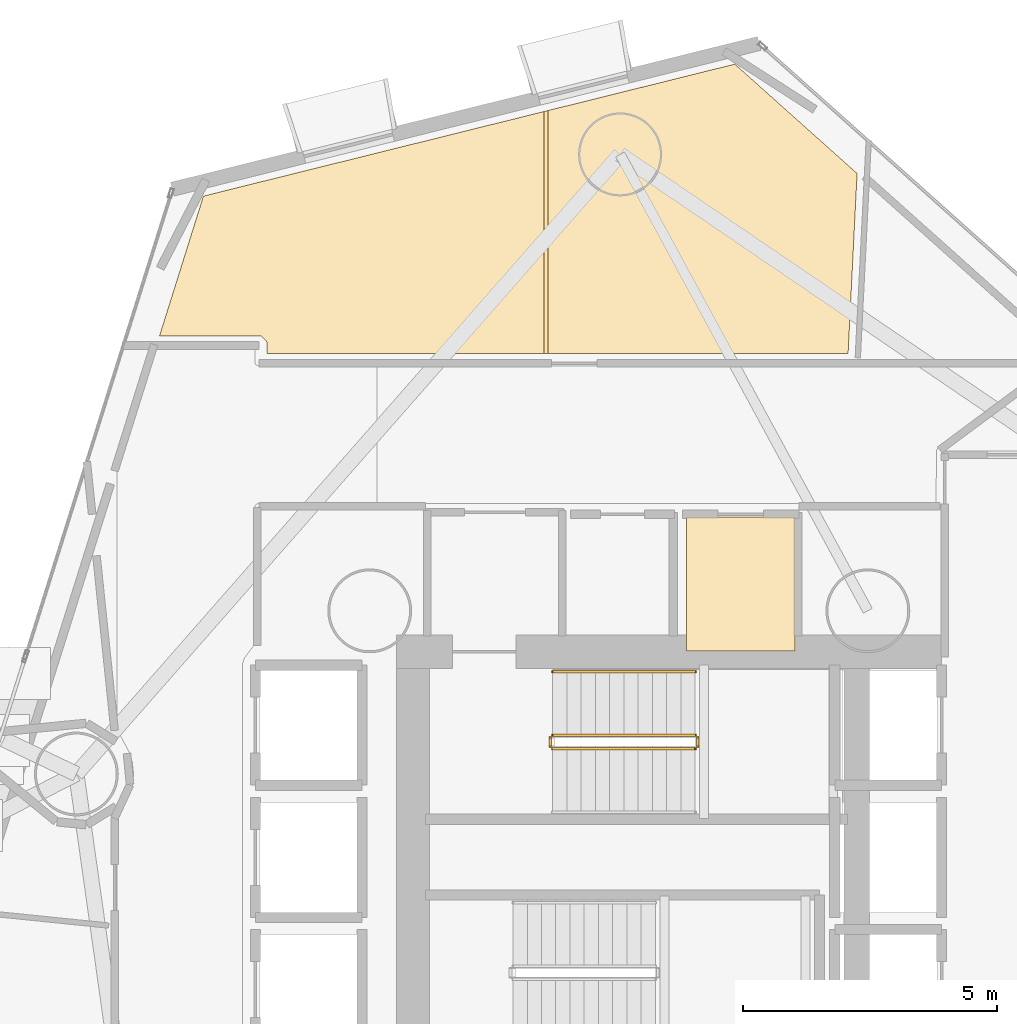
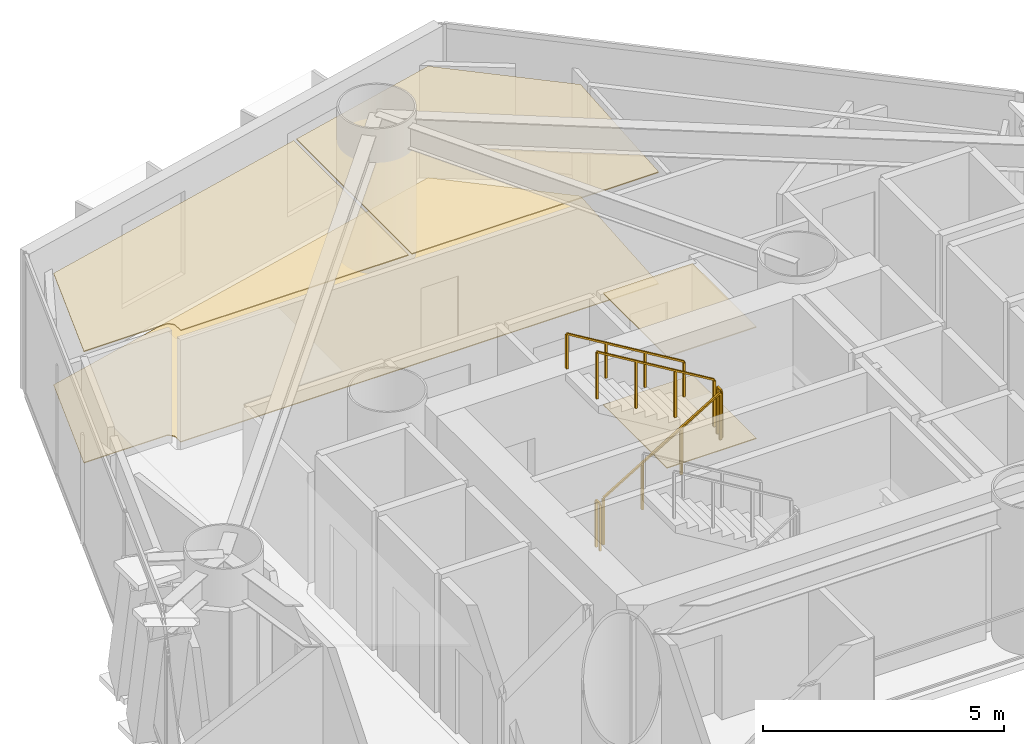
# One storey, part 23 of 24: 5 coverings, 5 railings.
"""IFC4 building model written with IfcOpenShell, lengths in metres."""

from ifc_helpers import new_model, si_unit, direction, frame, origin, origin_2d, place, context, subcontext, project, spatial, polyline, rectangle, outline, extrude, material, layer, layer_set, type_object, element, save


model = new_model("IFC4")

# Units and contexts
model_context = context("Model", 3, precision=1e-05, world=origin(), true_north=direction((0.0, 1.0)))
body_context = subcontext(model_context, "Body", "Model", "MODEL_VIEW")
ifc_project = project(units=[si_unit("LENGTHUNIT", "METRE"), si_unit("AREAUNIT", "SQUARE_METRE"), si_unit("VOLUMEUNIT", "CUBIC_METRE"), si_unit("PLANEANGLEUNIT", "RADIAN"), si_unit("MASSUNIT", "GRAM", prefix="KILO")], contexts=[model_context])

# Site, building, storey
site_placement = place(None, origin())
site = spatial("IfcSite", under=ifc_project, at=site_placement, CompositionType="ELEMENT")
building_placement = place(site_placement, origin())
building = spatial("IfcBuilding", under=site, at=building_placement, Name="Qianvela Tower", CompositionType="ELEMENT")
storey_placement = place(building_placement, frame((0.0, 0.0, 71.0)))
storey = spatial("IfcBuildingStorey", under=building, at=storey_placement, Name="L17", CompositionType="ELEMENT", Elevation=71.0)

# Coverings
ifc_material_1 = material(Name="Perforated Mineral Acoustic Ceiling Tile")
ifc_layer_1 = layer(ifc_material_1, 0.02490234375)
ifc_layer_set_1 = layer_set([ifc_layer_1], Name="Perforated Mineral Acoustic Ceiling Tile")
covering_type_1 = type_object("IfcCoveringType", Name="COV-CEIL-ACOUSTIC-25", PredefinedType="CEILING", material=ifc_layer_set_1)
covering_1_placement = place(storey_placement, frame((0.0, 0.0, 2.81494140625)))
element("IfcCovering", 1, at=covering_1_placement, inside=storey, type_object=covering_type_1, Name="L17 Acoustic Ceiling L17 Core Tea Pantry", PredefinedType="CEILING", context=body_context, shape_type="SweptSolid", body=[
    extrude(outline(polyline([(36.969970703125, 32.760009765625), (34.830078125, 32.760009765625), (34.830078125, 35.39990234375), (36.969970703125, 35.39990234375), (36.969970703125, 32.760009765625)])), origin(), (0.0, 0.0, 1.0), 0.025146484375),
])
covering_2_placement = place(storey_placement, frame((0.0, 0.0, 2.81494140625)))
element("IfcCovering", 2, at=covering_2_placement, inside=storey, type_object=covering_type_1, Name="L17 Acoustic Ceiling Bay 1 Shared Communal Kitchen L17-04", PredefinedType="CEILING", context=body_context, shape_type="SweptSolid", body=[
    extrude(outline(polyline([(26.57958984375, 38.610107421875), (26.57861328125, 38.81591796875), (26.577880859375, 38.82373046875), (26.576904296875, 38.83154296875), (26.574951171875, 38.839111328125), (26.572265625, 38.846435546875), (26.56884765625, 38.853515625), (26.56494140625, 38.860107421875), (26.560302734375, 38.866455078125), (26.554931640625, 38.872314453125), (26.4921875, 38.93505859375), (26.486328125, 38.940185546875), (26.47998046875, 38.945068359375), (26.473388671875, 38.948974609375), (26.46630859375, 38.952392578125), (26.458984375, 38.955078125), (26.451416015625, 38.956787109375), (26.443603515625, 38.9580078125), (26.435791015625, 38.95849609375), (24.465087890625, 38.9599609375), (25.32861328125, 41.708740234375), (32.0302734375, 43.373046875), (32.0302734375, 38.610107421875), (26.57958984375, 38.610107421875)])), origin(), (0.0, 0.0, 1.0), 0.025146484375),
])
covering_3_placement = place(storey_placement, frame((0.0, 0.0, 2.81494140625)))
element("IfcCovering", 3, at=covering_3_placement, inside=storey, type_object=covering_type_1, Name="L17 Acoustic Ceiling Bay 2 Shared Communal Kitchen L17-04", PredefinedType="CEILING", context=body_context, shape_type="SweptSolid", body=[
    extrude(outline(polyline([(32.110107421875, 38.610107421875), (32.110107421875, 43.392822265625), (35.78271484375, 44.304931640625), (38.188720703125, 42.154052734375), (38.010986328125, 38.610107421875), (32.110107421875, 38.610107421875)])), origin(), (0.0, 0.0, 1.0), 0.025146484375),
])
ifc_material_2 = material(Name="Engineered Acoustic Oak Timber Flooring", Category="wood")
ifc_layer_2 = layer(ifc_material_2, 0.02001953125)
ifc_layer_set_2 = layer_set([ifc_layer_2], Name="Engineered Acoustic Oak Timber Flooring")
covering_type_2 = type_object("IfcCoveringType", Name="COV-FLOOR-OAK-20", PredefinedType="FLOORING", material=ifc_layer_set_2)
covering_4_placement = place(storey_placement, origin())
element("IfcCovering", 4, at=covering_4_placement, inside=storey, type_object=covering_type_2, Name="L17 Finish Flooring L17 Core Tea Pantry", PredefinedType="FLOORING", context=body_context, shape_type="SweptSolid", body=[
    extrude(outline(polyline([(36.969970703125, 32.760009765625), (34.830078125, 32.760009765625), (34.830078125, 35.39990234375), (36.969970703125, 35.39990234375), (36.969970703125, 32.760009765625)])), origin(), (0.0, 0.0, 1.0), 0.02001953125),
])
covering_5_placement = place(storey_placement, origin())
element("IfcCovering", 5, at=covering_5_placement, inside=storey, type_object=covering_type_2, Name="L17 Finish Flooring Shared Communal Kitchen L17-04", PredefinedType="FLOORING", context=body_context, shape_type="SweptSolid", body=[
    extrude(outline(polyline([(38.010986328125, 38.610107421875), (26.57958984375, 38.610107421875), (26.57861328125, 38.81591796875), (26.577880859375, 38.82373046875), (26.576904296875, 38.83154296875), (26.574951171875, 38.839111328125), (26.572265625, 38.846435546875), (26.56884765625, 38.853515625), (26.56494140625, 38.860107421875), (26.560302734375, 38.866455078125), (26.554931640625, 38.872314453125), (26.4921875, 38.93505859375), (26.486328125, 38.940185546875), (26.47998046875, 38.945068359375), (26.473388671875, 38.948974609375), (26.46630859375, 38.952392578125), (26.458984375, 38.955078125), (26.451416015625, 38.956787109375), (26.443603515625, 38.9580078125), (26.435791015625, 38.95849609375), (24.465087890625, 38.9599609375), (25.32861328125, 41.708740234375), (35.78271484375, 44.304931640625), (38.188720703125, 42.154052734375), (38.010986328125, 38.610107421875)])), origin(), (0.0, 0.0, 1.0), 0.02001953125),
])

# Railings
ifc_material_3 = material(Name="Painted Tubular Steel Q355B", Category="steel")
railing_type_1 = type_object("IfcRailingType", Name="RL-STAIR-GUARD-1200", PredefinedType="GUARDRAIL", material=ifc_material_3)
railing_1_placement = place(storey_placement, frame((32.199951171875, 30.840087890625, 0.168212890625)))
element("IfcRailing", 6, at=railing_1_placement, inside=storey, type_object=railing_type_1, Name="L17 ST-1 stair guard 1", PredefinedType="GUARDRAIL", context=body_context, shape_type="SweptSolid", body=[
    extrude(rectangle(XDim=0.050048828125, YDim=0.0400390625, at=origin_2d()), frame((0.0, 0.0, 1.179931640625), z_axis=(0.857242210791, 0.0, 0.514913383045), x_axis=(0.0, 1.0, 0.0)), (0.0, 0.0, 1.0), 3.266357421875),
    extrude(rectangle(XDim=0.050048828125, YDim=0.050048828125, at=origin_2d()), origin(), (0.0, 0.0, 1.0), 1.159912109375),
    extrude(rectangle(XDim=0.050048828125, YDim=0.050048828125, at=origin_2d()), frame((0.933349609375, 0.0, 0.560546875)), (0.0, 0.0, 1.0), 1.159912109375),
    extrude(rectangle(XDim=0.050048828125, YDim=0.050048828125, at=origin_2d()), frame((1.86669921875, 0.0, 1.121337890625)), (0.0, 0.0, 1.0), 1.159912109375),
    extrude(rectangle(XDim=0.050048828125, YDim=0.050048828125, at=origin_2d()), frame((2.800048828125, 0.0, 1.681884765625)), (0.0, 0.0, 1.0), 1.159912109375),
])
railing_2_placement = place(storey_placement, frame((35.050048828125, 30.889892578125, 1.85009765625)))
element("IfcRailing", 7, at=railing_2_placement, inside=storey, type_object=railing_type_1, Name="L17 ST-1 stair guard 2", PredefinedType="GUARDRAIL", context=body_context, shape_type="SweptSolid", body=[
    extrude(rectangle(XDim=0.050048828125, YDim=0.0400390625, at=origin_2d()), frame((0.0, 0.0, 1.179931640625), z_axis=(0.0, 1.0, 0.0), x_axis=(-1.0, 0.0, 0.0)), (0.0, 0.0, 1.0), 0.16015625),
    extrude(rectangle(XDim=0.050048828125, YDim=0.050048828125, at=origin_2d()), origin(), (0.0, 0.0, 1.0), 1.159912109375),
    extrude(rectangle(XDim=0.050048828125, YDim=0.050048828125, at=origin_2d()), frame((0.0, 0.16015625, 0.0)), (0.0, 0.0, 1.0), 1.159912109375),
])
railing_3_placement = place(storey_placement, frame((35.0, 31.10009765625, 2.01806640625)))
element("IfcRailing", 8, at=railing_3_placement, inside=storey, type_object=railing_type_1, Name="L17 ST-1 stair guard 3", PredefinedType="GUARDRAIL", context=body_context, shape_type="SweptSolid", body=[
    extrude(rectangle(XDim=0.050048828125, YDim=0.0400390625, at=origin_2d()), frame((0.0, 0.0, 1.179931640625), z_axis=(-0.857242210791, 0.0, 0.514913383045), x_axis=(0.0, -1.0, 0.0)), (0.0, 0.0, 1.0), 3.266357421875),
    extrude(rectangle(XDim=0.050048828125, YDim=0.050048828125, at=origin_2d()), origin(), (0.0, 0.0, 1.0), 1.159912109375),
    extrude(rectangle(XDim=0.050048828125, YDim=0.050048828125, at=origin_2d()), frame((-0.933349609375, 0.0, 0.560546875)), (0.0, 0.0, 1.0), 1.159912109375),
    extrude(rectangle(XDim=0.050048828125, YDim=0.050048828125, at=origin_2d()), frame((-1.86669921875, 0.0, 1.121337890625)), (0.0, 0.0, 1.0), 1.159912109375),
    extrude(rectangle(XDim=0.050048828125, YDim=0.050048828125, at=origin_2d()), frame((-2.800048828125, 0.0, 1.681884765625)), (0.0, 0.0, 1.0), 1.159912109375),
])
railing_4_placement = place(storey_placement, frame((32.14990234375, 30.889892578125, 0.0)))
element("IfcRailing", 9, at=railing_4_placement, inside=storey, type_object=railing_type_1, Name="L17 ST-1 stair guard 4", PredefinedType="GUARDRAIL", context=body_context, shape_type="SweptSolid", body=[
    extrude(rectangle(XDim=0.050048828125, YDim=0.0400390625, at=origin_2d()), frame((0.0, 0.0, 1.179931640625), z_axis=(0.0, 1.0, 0.0), x_axis=(-1.0, 0.0, 0.0)), (0.0, 0.0, 1.0), 0.16015625),
    extrude(rectangle(XDim=0.050048828125, YDim=0.050048828125, at=origin_2d()), origin(), (0.0, 0.0, 1.0), 1.159912109375),
    extrude(rectangle(XDim=0.050048828125, YDim=0.050048828125, at=origin_2d()), frame((0.0, 0.16015625, 0.0)), (0.0, 0.0, 1.0), 1.159912109375),
])
ifc_material_4 = material(Name="Brushed Stainless Steel 304", Category="steel")
railing_type_2 = type_object("IfcRailingType", Name="RL-STAIR-HANDRAIL-900", PredefinedType="HANDRAIL", material=ifc_material_4)
railing_5_placement = place(storey_placement, frame((35.0, 32.35009765625, 2.01806640625)))
element("IfcRailing", 10, at=railing_5_placement, inside=storey, type_object=railing_type_2, Name="L17 ST-1 stair handrail 2", PredefinedType="HANDRAIL", context=body_context, shape_type="SweptSolid", body=[
    extrude(rectangle(XDim=0.050048828125, YDim=0.0400390625, at=origin_2d()), frame((0.0, 0.0, 0.8798828125), z_axis=(-0.857242210791, 0.0, 0.514913383045), x_axis=(0.0, -1.0, 0.0)), (0.0, 0.0, 1.0), 3.266357421875),
    extrude(rectangle(XDim=0.050048828125, YDim=0.050048828125, at=origin_2d()), origin(), (0.0, 0.0, 1.0), 0.85986328125),
    extrude(rectangle(XDim=0.050048828125, YDim=0.050048828125, at=origin_2d()), frame((-0.933349609375, 0.0, 0.560546875)), (0.0, 0.0, 1.0), 0.85986328125),
    extrude(rectangle(XDim=0.050048828125, YDim=0.050048828125, at=origin_2d()), frame((-1.86669921875, 0.0, 1.121337890625)), (0.0, 0.0, 1.0), 0.85986328125),
    extrude(rectangle(XDim=0.050048828125, YDim=0.050048828125, at=origin_2d()), frame((-2.800048828125, 0.0, 1.681884765625)), (0.0, 0.0, 1.0), 0.85986328125),
])

save(model, "model.ifc")
